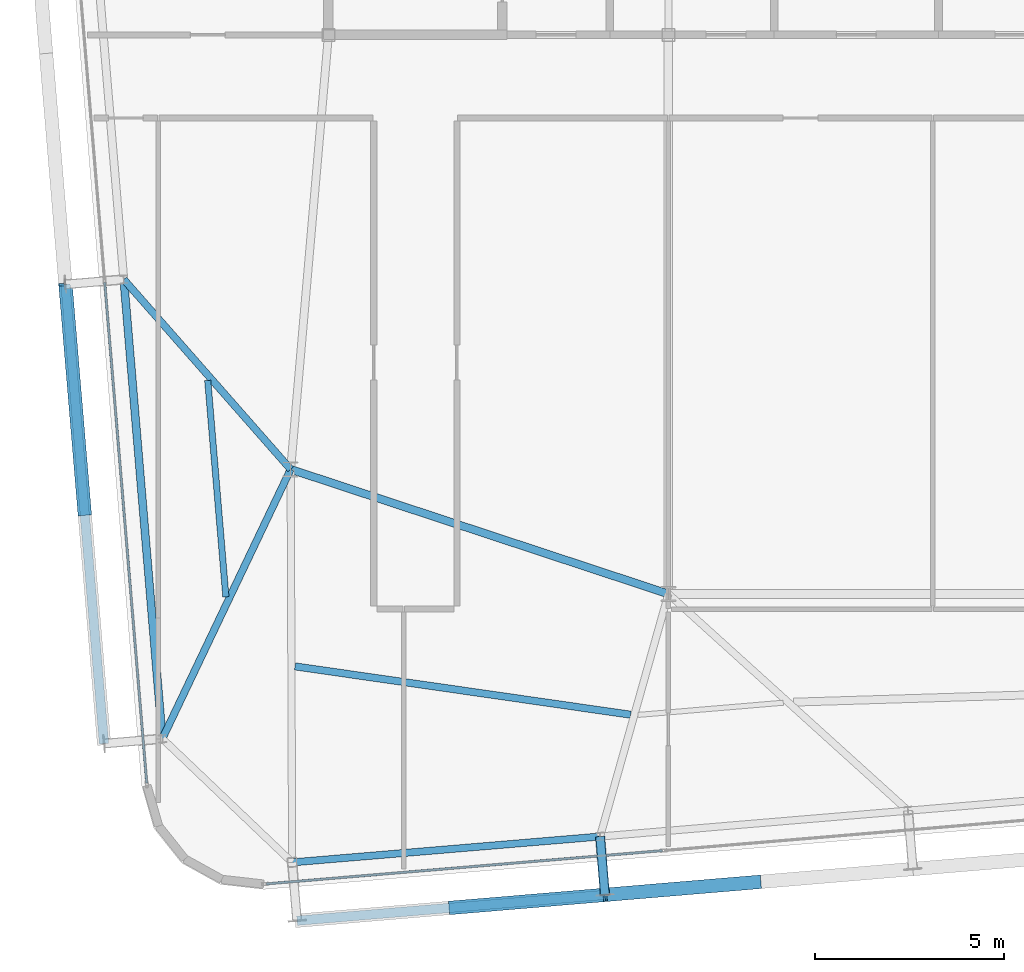
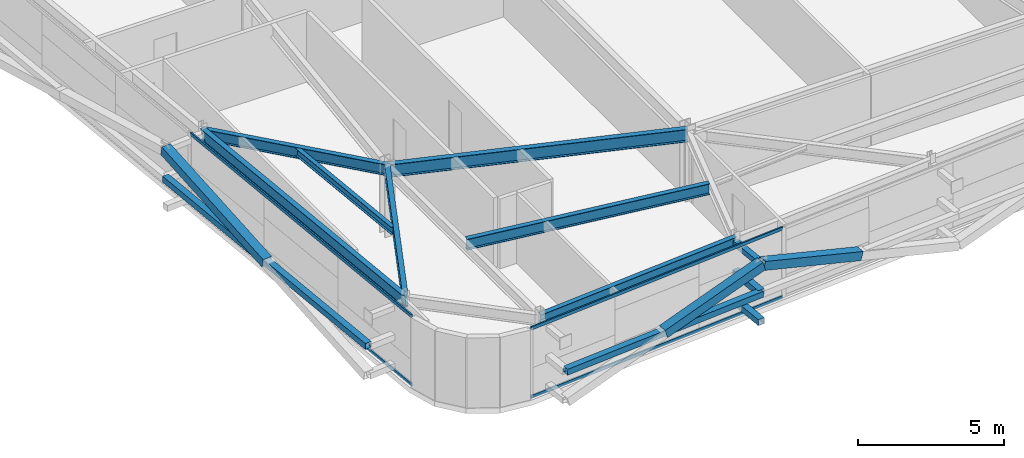
# One storey, part 8 of 37: 12 members, 7 beams, 2 elements without a shape of their own.
"""IFC4 building model written with IfcOpenShell, lengths in metres."""

from ifc_helpers import new_model, si_unit, direction, frame, origin, origin_2d, place, context, subcontext, project, spatial, hollow_rectangle, i_section, extrude, source, transform, mapped, material, layer, layer_set, material_profile, profile_set, type_object, element, aggregate, save


model = new_model("IFC4")

# Units and contexts
model_context = context("Model", 3, precision=1e-05, world=origin(), true_north=direction((0.0, 1.0)))
body_context = subcontext(model_context, "Body", "Model", "MODEL_VIEW")
ifc_project = project(units=[si_unit("LENGTHUNIT", "METRE"), si_unit("AREAUNIT", "SQUARE_METRE"), si_unit("VOLUMEUNIT", "CUBIC_METRE"), si_unit("PLANEANGLEUNIT", "RADIAN"), si_unit("MASSUNIT", "GRAM", prefix="KILO")], contexts=[model_context])

# Site, building, storey
site_placement = place(None, origin())
site = spatial("IfcSite", under=ifc_project, at=site_placement, CompositionType="ELEMENT")
building_placement = place(site_placement, origin())
building = spatial("IfcBuilding", under=site, at=building_placement, Name="Taldren Reach Tower", CompositionType="ELEMENT")
storey_placement = place(building_placement, frame((0.0, 0.0, 172.550048828125)))
storey = spatial("IfcBuildingStorey", under=building, at=storey_placement, Name="L52", CompositionType="ELEMENT", Elevation=172.550048828125)

# Beam
ifc_material_1 = material(Name="Steel Gr 350 (350PLUS)", Category="steel")
ifc_material_profile_1 = material_profile(ifc_material_1, i_section(OverallWidth=0.208984375, OverallDepth=0.532958984375, WebThickness=0.01025390625, FlangeThickness=0.015625, at=origin_2d()), Name="530UB92.4")
ifc_profile_set_1 = profile_set([ifc_material_profile_1], Name="Steel Gr 350 (350PLUS)")
beam_type_1 = type_object("IfcBeamType", Name="BM-UB530A", PredefinedType="BEAM", material=ifc_profile_set_1)
shared_shape_1 = source(origin(), body_context, "Body", "SweptSolid", [
    extrude(i_section(OverallWidth=0.208984375, OverallDepth=0.532958984375, WebThickness=0.01025390625, FlangeThickness=0.015625, at=origin_2d()), origin(), (0.0, 0.0, 1.0), 10.530517578125),
])
beam_1_placement = place(storey_placement, frame((18.0, 12.5, 2.663330078125), z_axis=(0.949627269203, -0.313381635689, 0.0), x_axis=(0.313381635689, 0.949627269203, 0.0)))
element("IfcBeam", 1, at=beam_1_placement, inside=storey, type_object=beam_type_1, Name="Core-spine girder L52-SP10", PredefinedType="BEAM", context=body_context, shape_type="MappedRepresentation", body=[
    mapped(shared_shape_1, transform((0.0, 0.0, 0.0), scale=1.0)),
])

# Members
ifc_material_2 = material(Name="Steel Gr 350 (C350L0)", Category="steel")
ifc_material_profile_2 = material_profile(ifc_material_2, hollow_rectangle(XDim=0.25, YDim=0.25, WallThickness=0.010009765625, at=origin_2d()), Name="250x250x10.0SHS")
ifc_profile_set_2 = profile_set([ifc_material_profile_2], Name="Steel Gr 350 (C350L0)")
member_type_1 = type_object("IfcMemberType", Name="MB-POST250", PredefinedType="POST", material=ifc_profile_set_2)
shared_shape_2 = source(origin(), body_context, "Body", "SweptSolid", [
    extrude(hollow_rectangle(XDim=0.25, YDim=0.25, WallThickness=0.010009765625, at=origin_2d()), origin(), (0.0, 0.0, 1.0), 1.550048828125),
])
for number, where, z_axis, x_axis, name in (
    (2, (26.19091796875, 2.778564453125, 0.219970703125), (0.083632013783, -0.996496706603, 0.0), (0.996496706603, 0.083632013783, 0.0), "Exoskeleton base diaphragm tie strut B4-S2 L52"),
    (3, (26.19091796875, 2.778564453125, 1.43505859375), (0.083632013783, -0.996496706603, 0.0), (0.996496706603, 0.083632013783, 0.0), "Exoskeleton mid-tier diaphragm tie B4-S2 L52"),
):
    element("IfcMember", number, at=place(storey_placement, frame(where, z_axis=z_axis, x_axis=x_axis)), inside=storey, type_object=member_type_1, Name=name, PredefinedType="POST", context=body_context, shape_type="MappedRepresentation", body=[
        mapped(shared_shape_2, transform((0.0, 0.0, 0.0), scale=1.0)),
    ])

# Beams
ifc_material_profile_3 = material_profile(ifc_material_1, i_section(OverallWidth=0.18994140625, OverallDepth=0.4541015625, WebThickness=0.008544921875, FlangeThickness=0.0126953125, at=origin_2d()), Name="460UB67.1")
ifc_profile_set_3 = profile_set([ifc_material_profile_3], Name="Steel Gr 350 (350PLUS)")
beam_type_2 = type_object("IfcBeamType", Name="SP-UB460B", PredefinedType="SPANDREL", material=ifc_profile_set_3)
shared_shape_3 = source(origin(), body_context, "Body", "SweptSolid", [
    extrude(i_section(OverallWidth=0.18994140625, OverallDepth=0.4541015625, WebThickness=0.008544921875, FlangeThickness=0.0126953125, at=origin_2d()), origin(), (0.0, 0.0, 1.0), 8.18017578125),
])
beam_2_placement = place(storey_placement, frame((18.03955078125, 2.093994140625, 2.702880859375), z_axis=(0.996492034688, 0.083687662192, 0.0), x_axis=(-0.083687662192, 0.996492034688, 0.0)))
element("IfcBeam", 4, at=beam_2_placement, inside=storey, type_object=beam_type_2, Name="Perimeter spandrel B4 S1-S2 L52", PredefinedType="SPANDREL", context=body_context, shape_type="MappedRepresentation", body=[
    mapped(shared_shape_3, transform((0.0, 0.0, 0.0), scale=1.0)),
])
ifc_material_profile_4 = material_profile(ifc_material_1, i_section(OverallWidth=0.208984375, OverallDepth=0.528076171875, WebThickness=0.009521484375, FlangeThickness=0.01318359375, at=origin_2d()), Name="530UB82.0")
ifc_profile_set_4 = profile_set([ifc_material_profile_4], Name="Steel Gr 350 (350PLUS)")
beam_type_3 = type_object("IfcBeamType", Name="SP-UB530B", PredefinedType="SPANDREL", material=ifc_profile_set_4)
shared_shape_4 = source(origin(), body_context, "Body", "SweptSolid", [
    extrude(i_section(OverallWidth=0.208984375, OverallDepth=0.528076171875, WebThickness=0.009521484375, FlangeThickness=0.01318359375, at=origin_2d()), origin(), (0.0, 0.0, 1.0), 12.199951171875),
])
beam_3_placement = place(storey_placement, frame((13.582763671875, 17.525146484375, 2.666015625), z_axis=(0.083688038336, -0.996492003099, 0.0), x_axis=(0.996492003099, 0.083688038336, 0.0)))
element("IfcBeam", 5, at=beam_3_placement, inside=storey, type_object=beam_type_3, Name="Perimeter spandrel B4 W2-W1 L52", PredefinedType="SPANDREL", context=body_context, shape_type="MappedRepresentation", body=[
    mapped(shared_shape_4, transform((0.0, 0.0, 0.0), scale=1.0)),
])
ifc_material_profile_5 = material_profile(ifc_material_1, i_section(OverallWidth=0.19091796875, OverallDepth=0.4599609375, WebThickness=0.010009765625, FlangeThickness=0.01611328125, at=origin_2d()), Name="460UB82.1")
ifc_profile_set_5 = profile_set([ifc_material_profile_5], Name="Steel Gr 350 (350PLUS)")
beam_type_4 = type_object("IfcBeamType", Name="BM-UB460A", PredefinedType="BEAM", material=ifc_profile_set_5)
shared_shape_5 = source(origin(), body_context, "Body", "SweptSolid", [
    extrude(i_section(OverallWidth=0.19091796875, OverallDepth=0.4599609375, WebThickness=0.010009765625, FlangeThickness=0.01611328125, at=origin_2d()), origin(), (0.0, 0.0, 1.0), 6.690673828125),
])
beam_4_placement = place(storey_placement, frame((18.0, 12.5, 2.699951171875), z_axis=(-0.660215677485, 0.751076067521, 0.0), x_axis=(-0.751076067521, -0.660215677485, 0.0)))
element("IfcBeam", 6, at=beam_4_placement, inside=storey, type_object=beam_type_4, Name="Primary floor girder B4-W2 L52", PredefinedType="BEAM", context=body_context, shape_type="MappedRepresentation", body=[
    mapped(shared_shape_5, transform((0.0, 0.0, 0.0), scale=1.0)),
])
shared_shape_6 = source(origin(), body_context, "Body", "SweptSolid", [
    extrude(i_section(OverallWidth=0.19091796875, OverallDepth=0.4599609375, WebThickness=0.010009765625, FlangeThickness=0.01611328125, at=origin_2d()), origin(), (0.0, 0.0, 1.0), 7.8994140625),
])
beam_5_placement = place(storey_placement, frame((18.0, 12.5, 2.699951171875), z_axis=(-0.429934780074, -0.902859947546, 0.0), x_axis=(0.902859947546, -0.429934780074, 0.0)))
element("IfcBeam", 7, at=beam_5_placement, inside=storey, type_object=beam_type_4, Name="Primary floor girder B4-W1 L52", PredefinedType="BEAM", context=body_context, shape_type="MappedRepresentation", body=[
    mapped(shared_shape_6, transform((0.0, 0.0, 0.0), scale=1.0)),
])
shared_shape_7 = source(origin(), body_context, "Body", "SweptSolid", [
    extrude(i_section(OverallWidth=0.19091796875, OverallDepth=0.4599609375, WebThickness=0.010009765625, FlangeThickness=0.01611328125, at=origin_2d()), origin(), (0.0, 0.0, 1.0), 8.9765625),
])
beam_6_placement = place(storey_placement, frame((18.115478515625, 7.283203125, 2.699951171875), z_axis=(0.989776873291, -0.142624475806, 0.0), x_axis=(0.142624475806, 0.989776873291, 0.0)))
element("IfcBeam", 8, at=beam_6_placement, inside=storey, type_object=beam_type_4, Name="Secondary floor beam B4 J1 L52", PredefinedType="BEAM", context=body_context, shape_type="MappedRepresentation", body=[
    mapped(shared_shape_7, transform((0.0, 0.0, 0.0), scale=1.0)),
])
ifc_material_3 = material(Name="Steel Gr 300 (300PLUS, 300 MPa)", Category="steel")
ifc_material_profile_6 = material_profile(ifc_material_3, i_section(OverallWidth=0.166015625, OverallDepth=0.306884765625, WebThickness=0.006591796875, FlangeThickness=0.01171875, at=origin_2d()), Name="310UB46.2")
ifc_profile_set_6 = profile_set([ifc_material_profile_6], Name="Steel Gr 300 (300PLUS, 300 MPa)")
beam_type_5 = type_object("IfcBeamType", Name="JS-UB310", PredefinedType="JOIST", material=ifc_profile_set_6)
shared_shape_8 = source(origin(), body_context, "Body", "SweptSolid", [
    extrude(i_section(OverallWidth=0.166015625, OverallDepth=0.306884765625, WebThickness=0.006591796875, FlangeThickness=0.01171875, at=origin_2d()), origin(), (0.0, 0.0, 1.0), 5.750244140625),
])
beam_7_placement = place(storey_placement, frame((16.285888671875, 9.122802734375, 2.7763671875), z_axis=(-0.083642808993, 0.996495800545, 0.0), x_axis=(-0.996495800545, -0.083642808993, 0.0)))
element("IfcBeam", 9, at=beam_7_placement, inside=storey, type_object=beam_type_5, Name="Secondary floor joist B4 J6 L52", PredefinedType="JOIST", context=body_context, shape_type="MappedRepresentation", body=[
    mapped(shared_shape_8, transform((0.0, 0.0, 0.0), scale=1.0)),
])

# Members
ifc_material_4 = material(Name="Steel Gr 450 (C450L0)", Category="steel")
ifc_material_profile_7 = material_profile(ifc_material_4, hollow_rectangle(XDim=0.219970703125, YDim=0.219970703125, WallThickness=0.00830078125, at=origin_2d()), Name="220x220x8.2SHS")
ifc_profile_set_7 = profile_set([ifc_material_profile_7], Name="Steel Gr 450 (C450L0)")
member_type_2 = type_object("IfcMemberType", Name="MB-TIE219", PredefinedType="STRUT", material=ifc_profile_set_7)
shared_shape_9 = source(origin(), body_context, "Body", "SweptSolid", [
    extrude(hollow_rectangle(XDim=0.219970703125, YDim=0.219970703125, WallThickness=0.00830078125, at=origin_2d()), origin(), (0.0, 0.0, 1.0), 1.550048828125),
])
member_1_placement = place(storey_placement, frame((26.19091796875, 2.778564453125, 2.64990234375), z_axis=(0.083632013783, -0.996496706603, 0.0), x_axis=(0.996496706603, 0.083632013783, 0.0)))
element("IfcMember", 10, at=member_1_placement, inside=storey, type_object=member_type_2, Name="Exoskeleton diaphragm tie strut B4-S2 L52", PredefinedType="STRUT", context=body_context, shape_type="MappedRepresentation", body=[
    mapped(shared_shape_9, transform((0.0, 0.0, 0.0), scale=1.0)),
])
shared_shape_10 = source(origin(), body_context, "Body", "SweptSolid", [
    extrude(hollow_rectangle(XDim=0.25, YDim=0.25, WallThickness=0.010009765625, at=origin_2d()), origin(), (0.0, 0.0, 1.0), 8.1796875),
])
member_2_placement = place(storey_placement, frame((18.16943359375, 0.549560546875, 1.43505859375), z_axis=(0.996494314327, 0.083660513465, 0.0), x_axis=(-0.083660513465, 0.996494314327, 0.0)))
element("IfcMember", 11, at=member_2_placement, inside=storey, type_object=member_type_1, Name="Exoskeleton mid-height ring chord B4-S1 L52", PredefinedType="POST", context=body_context, shape_type="MappedRepresentation", body=[
    mapped(shared_shape_10, transform((0.0, 0.0, 0.0), scale=1.0)),
])
shared_shape_11 = source(origin(), body_context, "Body", "SweptSolid", [
    extrude(hollow_rectangle(XDim=0.25, YDim=0.25, WallThickness=0.010009765625, at=origin_2d()), origin(), (0.0, 0.0, 1.0), 12.199951171875),
])
member_3_placement = place(storey_placement, frame((13.05908203125, 5.23828125, 1.43505859375), z_axis=(-0.083688038336, 0.996492003099, 0.0), x_axis=(-0.996492003099, -0.083688038336, 0.0)))
element("IfcMember", 12, at=member_3_placement, inside=storey, type_object=member_type_1, Name="Exoskeleton mid-height ring chord B4-W1 L52", PredefinedType="POST", context=body_context, shape_type="MappedRepresentation", body=[
    mapped(shared_shape_11, transform((0.0, 0.0, 0.0), scale=1.0)),
])
ifc_material_profile_8 = material_profile(ifc_material_4, hollow_rectangle(XDim=0.360107421875, YDim=0.360107421875, WallThickness=0.0126953125, at=origin_2d()), Name="360x360x12.7SHS")
ifc_profile_set_8 = profile_set([ifc_material_profile_8], Name="Steel Gr 450 (C450L0)")
member_type_3 = type_object("IfcMemberType", Name="MB-EXO356", PredefinedType="BRACE", material=ifc_profile_set_8)
shared_shape_12 = source(origin(), body_context, "Body", "SweptSolid", [
    extrude(hollow_rectangle(XDim=0.360107421875, YDim=0.360107421875, WallThickness=0.0126953125, at=origin_2d()), origin(), (0.0, 0.0, 1.0), 4.2666015625),
])
member_4_placement = place(storey_placement, frame((30.396240234375, 1.576171875, 1.43505859375), z_axis=(-0.955244723646, -0.080223619417, 0.284730906006), x_axis=(0.083687662192, -0.996492034688, 0.0)))
element("IfcMember", 13, at=member_4_placement, inside=storey, type_object=member_type_3, Name="Exoskeleton Diagrid Brace B4-S2 L52", PredefinedType="BRACE", context=body_context, shape_type="MappedRepresentation", body=[
    mapped(shared_shape_12, transform((0.0, 0.0, 0.0), scale=1.0)),
])
shared_shape_13 = source(origin(), body_context, "Body", "SweptSolid", [
    extrude(hollow_rectangle(XDim=0.360107421875, YDim=0.360107421875, WallThickness=0.0126953125, at=origin_2d()), origin(), (0.0, 0.0, 1.0), 4.266357421875),
])
member_5_placement = place(storey_placement, frame((22.2451171875, 0.8916015625, 1.43505859375), z_axis=(0.955239715981, 0.080228004661, 0.28474647018), x_axis=(-0.083692640416, 0.996491616593, 0.0)))
element("IfcMember", 14, at=member_5_placement, inside=storey, type_object=member_type_3, Name="Exoskeleton Diagrid Brace B4-S1 L52", PredefinedType="BRACE", context=body_context, shape_type="MappedRepresentation", body=[
    mapped(shared_shape_13, transform((0.0, 0.0, 0.0), scale=1.0)),
])
shared_shape_14 = source(origin(), body_context, "Body", "SweptSolid", [
    extrude(hollow_rectangle(XDim=0.360107421875, YDim=0.360107421875, WallThickness=0.0126953125, at=origin_2d()), origin(), (0.0, 0.0, 1.0), 6.2197265625),
])
member_6_placement = place(storey_placement, frame((12.548583984375, 11.31689453125, 1.43505859375), z_axis=(-0.082076194186, 0.977299417909, 0.19531857593), x_axis=(-0.996492003099, -0.083688038336, 0.0)))
element("IfcMember", 15, at=member_6_placement, inside=storey, type_object=member_type_3, Name="Exoskeleton Diagrid Brace B4-W1 L52", PredefinedType="BRACE", context=body_context, shape_type="MappedRepresentation", body=[
    mapped(shared_shape_14, transform((0.0, 0.0, 0.0), scale=1.0)),
])

# Curtain wall, members
ifc_material_5 = material(Name="Aluminium and Low-E Glass Unitised System", Category="aluminium")
ifc_layer = layer(ifc_material_5, 0.159912109375)
ifc_layer_set = layer_set([ifc_layer], Name="Aluminium and Low-E Glass Unitised System")
curtain_wall_type = type_object("IfcCurtainWallType", Name="CW-SYS-5", PredefinedType="NOTDEFINED", material=ifc_layer_set)
curtain_wall_1_placement = place(storey_placement, origin())
curtain_wall_1 = element("IfcCurtainWall", 16, at=curtain_wall_1_placement, inside=storey, type_object=curtain_wall_type, Name="Unitised curtain wall CW-L52-S", PredefinedType="NOTDEFINED")
ifc_material_6 = material(Name="Anodised Aluminium 6063-T6", Category="aluminium")
ifc_material_profile_9 = material_profile(ifc_material_6, hollow_rectangle(XDim=0.06005859375, YDim=0.135009765625, WallThickness=0.00341796875, at=origin_2d()), Name="ALU-135x60x3.5RHS")
ifc_profile_set_9 = profile_set([ifc_material_profile_9], Name="Anodised Aluminium 6063-T6")
member_type_4 = type_object("IfcMemberType", Name="CW-TRN-150", PredefinedType="USERDEFINED", material=ifc_profile_set_9)
shared_shape_15 = source(origin(), body_context, "Body", "SweptSolid", [
    extrude(hollow_rectangle(XDim=0.06005859375, YDim=0.135009765625, WallThickness=0.00341796875, at=origin_2d()), origin(), (0.0, 0.0, 1.0), 10.519775390625),
])
member_7_placement = place(storey_placement, frame((17.35498046875, 1.524658203125, 0.030029296875), z_axis=(0.996492094046, 0.083686955404, 0.0), x_axis=(-0.083686955404, 0.996492094046, 0.0)))
member_7 = element("IfcMember", 17, at=member_7_placement, type_object=member_type_4, Name="CW-5 transom 1.1", ObjectType="TRANSOM", PredefinedType="USERDEFINED", context=body_context, shape_type="MappedRepresentation", body=[
    mapped(shared_shape_15, transform((0.0, 0.0, 0.0), scale=1.0)),
])
member_8_placement = place(storey_placement, frame((17.35498046875, 1.524658203125, 2.89990234375), z_axis=(0.996492094046, 0.083686955404, 0.0), x_axis=(-0.083686955404, 0.996492094046, 0.0)))
member_8 = element("IfcMember", 18, at=member_8_placement, type_object=member_type_4, Name="CW-5 transom 1.2", ObjectType="TRANSOM", PredefinedType="USERDEFINED", context=body_context, shape_type="MappedRepresentation", body=[
    mapped(shared_shape_15, transform((0.0, 0.0, 0.0), scale=1.0)),
])
aggregate(curtain_wall_1, [member_7, member_8])

curtain_wall_2_placement = place(storey_placement, origin())
curtain_wall_2 = element("IfcCurtainWall", 19, at=curtain_wall_2_placement, inside=storey, type_object=curtain_wall_type, Name="Unitised curtain wall CW-L52-W", PredefinedType="NOTDEFINED")
shared_shape_16 = source(origin(), body_context, "Body", "SweptSolid", [
    extrude(hollow_rectangle(XDim=0.06005859375, YDim=0.135009765625, WallThickness=0.00341796875, at=origin_2d()), origin(), (0.0, 0.0, 1.0), 13.295166015625),
])
member_9_placement = place(storey_placement, frame((13.077392578125, 17.44775390625, 0.030029296875), z_axis=(0.083680700004, -0.996492619364, 0.0), x_axis=(0.996492619364, 0.083680700004, 0.0)))
member_9 = element("IfcMember", 20, at=member_9_placement, type_object=member_type_4, Name="CW-5 transom 2.1", ObjectType="TRANSOM", PredefinedType="USERDEFINED", context=body_context, shape_type="MappedRepresentation", body=[
    mapped(shared_shape_16, transform((0.0, 0.0, 0.0), scale=1.0)),
])
member_10_placement = place(storey_placement, frame((13.077392578125, 17.44775390625, 2.89990234375), z_axis=(0.083680700004, -0.996492619364, 0.0), x_axis=(0.996492619364, 0.083680700004, 0.0)))
member_10 = element("IfcMember", 21, at=member_10_placement, type_object=member_type_4, Name="CW-5 transom 2.2", ObjectType="TRANSOM", PredefinedType="USERDEFINED", context=body_context, shape_type="MappedRepresentation", body=[
    mapped(shared_shape_16, transform((0.0, 0.0, 0.0), scale=1.0)),
])
aggregate(curtain_wall_2, [member_9, member_10])

save(model, "model.ifc")
